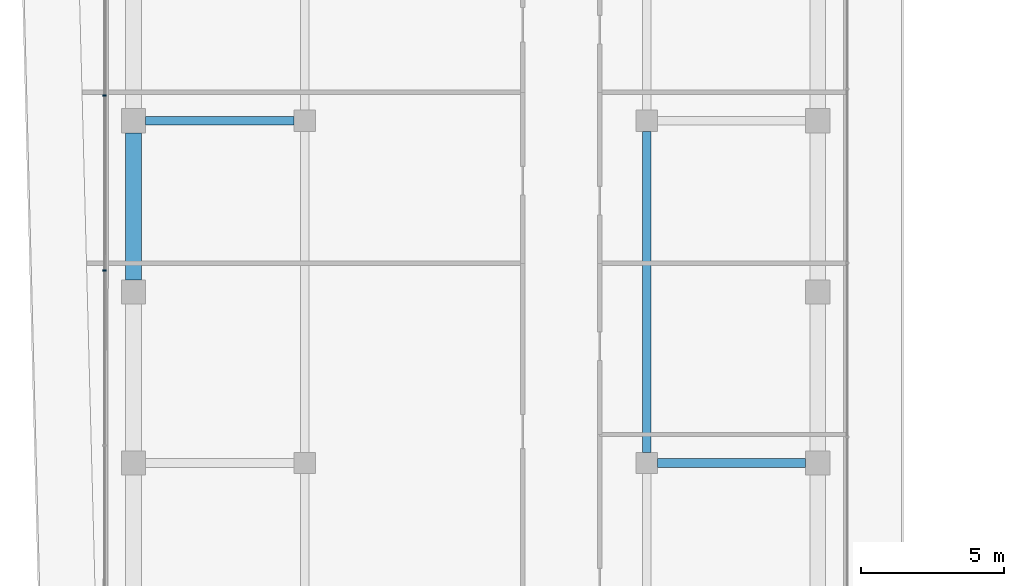
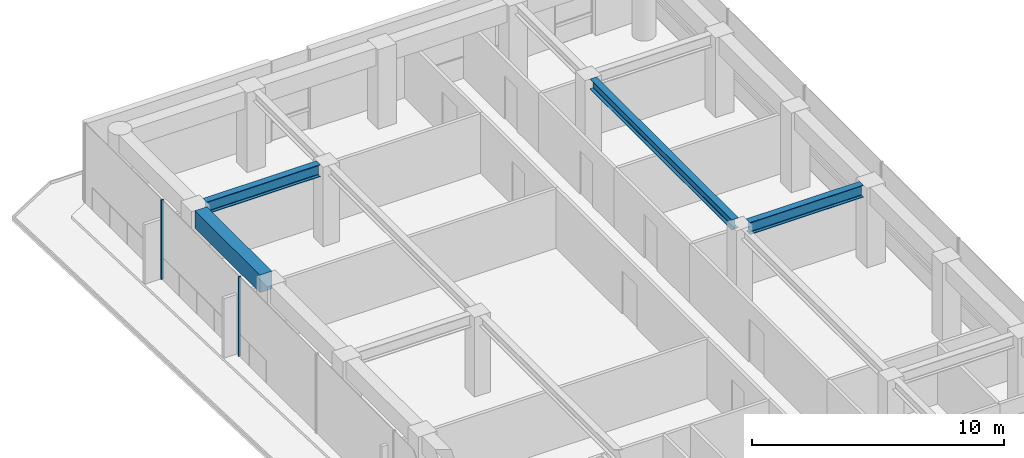
# One storey, part 11 of 20: 4 beams, 2 members, 1 element without a shape of its own.
"""IFC4 building model written with IfcOpenShell, lengths in metres."""

from ifc_helpers import new_model, si_unit, direction, frame, origin, origin_2d, place, context, subcontext, project, spatial, rectangle, i_section, extrude, material, layer, layer_set, material_profile, profile_set, type_object, element, aggregate, save


model = new_model("IFC4")

# Units and contexts
model_context = context("Model", 3, precision=1e-05, world=origin(), true_north=direction((0.0, 1.0)))
body_context = subcontext(model_context, "Body", "Model", "MODEL_VIEW")
ifc_project = project(units=[si_unit("LENGTHUNIT", "METRE"), si_unit("AREAUNIT", "SQUARE_METRE"), si_unit("VOLUMEUNIT", "CUBIC_METRE"), si_unit("PLANEANGLEUNIT", "RADIAN"), si_unit("MASSUNIT", "GRAM", prefix="KILO")], contexts=[model_context])

# Site, building, storey
site_placement = place(None, origin())
site = spatial("IfcSite", under=ifc_project, at=site_placement, CompositionType="ELEMENT")
building_placement = place(site_placement, origin())
building = spatial("IfcBuilding", under=site, at=building_placement, Name="Welwitschia Terrace Campus", CompositionType="ELEMENT")
storey_placement = place(building_placement, frame((0.0, 0.0, 176.0)))
storey = spatial("IfcBuildingStorey", under=building, at=storey_placement, Name="L39", CompositionType="ELEMENT", Elevation=176.0)

# Beam
ifc_material_1 = material(Name="Steel S355", Category="steel")
ifc_material_profile_1 = material_profile(ifc_material_1, i_section(OverallWidth=0.300048828125, OverallDepth=0.489990234375, WebThickness=0.011962890625, FlangeThickness=0.02294921875, FilletRadius=0.027099609375, at=origin_2d()))
ifc_profile_set_1 = profile_set([ifc_material_profile_1], Name="Steel S355")
beam_type_1 = type_object("IfcBeamType", Name="Interior girder HE 500 A", PredefinedType="BEAM", material=ifc_profile_set_1)
beam_1_placement = place(storey_placement, frame((18.0, 44.37548828125, 3.60498046875), z_axis=(0.0, 1.0, 0.0), x_axis=(-1.0, 0.0, 0.0)))
element("IfcBeam", 1, at=beam_1_placement, inside=storey, type_object=beam_type_1, Name="Girder GB4", PredefinedType="BEAM", context=body_context, shape_type="SweptSolid", body=[
    extrude(i_section(OverallWidth=0.300048828125, OverallDepth=0.489990234375, WebThickness=0.011962890625, FlangeThickness=0.02294921875, FilletRadius=0.027099609375, at=origin_2d()), origin(), (0.0, 0.0, 1.0), 11.2490234375),
])

# Curtain wall, members
ifc_material_2 = material(Name="Bronze anodised aluminium", Category="aluminium")
ifc_layer = layer(ifc_material_2, 0.1201171875)
ifc_layer_set = layer_set([ifc_layer], Name="Bronze anodised aluminium")
curtain_wall_type = type_object("IfcCurtainWallType", Name="Curtain wall CW2 tower 6000", PredefinedType="NOTDEFINED", material=ifc_layer_set)
curtain_wall_placement = place(storey_placement, origin())
curtain_wall = element("IfcCurtainWall", 2, at=curtain_wall_placement, inside=storey, type_object=curtain_wall_type, Name="CW L39.12.0", PredefinedType="NOTDEFINED")
ifc_material_3 = material(Name="Bronze anodised aluminium", Category="aluminium")
ifc_material_profile_2 = material_profile(ifc_material_3, rectangle(XDim=0.1201171875, YDim=0.06005859375, at=origin_2d()))
ifc_profile_set_2 = profile_set([ifc_material_profile_2], Name="Bronze anodised aluminium")
member_type = type_object("IfcMemberType", Name="Mullion 60x120", PredefinedType="MULLION", material=ifc_profile_set_2)
member_1_placement = place(storey_placement, frame((-1.01123046875, 56.89111328125, 0.0), z_axis=(0.0, 0.0, 1.0), x_axis=(0.999999815296, -0.000607788744, 0.0)))
member_1 = element("IfcMember", 3, at=member_1_placement, type_object=member_type, Name="Mullion L39.12.0.1", PredefinedType="MULLION", context=body_context, shape_type="SweptSolid", body=[
    extrude(rectangle(XDim=0.1201171875, YDim=0.06005859375, at=origin_2d()), origin(), (0.0, 0.0, 1.0), 3.85009765625),
])
member_2_placement = place(storey_placement, frame((-1.01513671875, 50.75244140625, 0.0), z_axis=(0.0, 0.0, 1.0), x_axis=(0.999999815296, -0.000607788744, 0.0)))
member_2 = element("IfcMember", 4, at=member_2_placement, type_object=member_type, Name="Mullion L39.12.0.2", PredefinedType="MULLION", context=body_context, shape_type="SweptSolid", body=[
    extrude(rectangle(XDim=0.1201171875, YDim=0.06005859375, at=origin_2d()), origin(), (0.0, 0.0, 1.0), 3.85009765625),
])
aggregate(curtain_wall, [member_1, member_2])

# Beams
ifc_material_4 = material(Name="Steel S355", Category="steel")
ifc_material_profile_3 = material_profile(ifc_material_4, i_section(OverallWidth=0.300048828125, OverallDepth=0.590087890625, WebThickness=0.012939453125, FlangeThickness=0.02490234375, FilletRadius=0.027099609375, at=origin_2d()))
ifc_profile_set_3 = profile_set([ifc_material_profile_3], Name="Steel S355")
beam_type_2 = type_object("IfcBeamType", Name="Primary beam HE 600 A", PredefinedType="BEAM", material=ifc_profile_set_3)
for number, where, z_axis, x_axis, name in (
    (5, (23.574462890625, 44.0, 3.554931640625), (-1.0, 0.0, 0.0), (0.0, -1.0, 0.0), "Primary beam PB4"),
    (6, (0.425537109375, 56.0, 3.554931640625), (1.0, 0.0, 0.0), (0.0, 1.0, 0.0), "Primary beam PB4"),
):
    element("IfcBeam", number, at=place(storey_placement, frame(where, z_axis=z_axis, x_axis=x_axis)), inside=storey, type_object=beam_type_2, Name=name, PredefinedType="BEAM", context=body_context, shape_type="SweptSolid", body=[
        extrude(i_section(OverallWidth=0.300048828125, OverallDepth=0.590087890625, WebThickness=0.012939453125, FlangeThickness=0.02490234375, FilletRadius=0.027099609375, at=origin_2d()), origin(), (0.0, 0.0, 1.0), 5.198974609375),
    ])
ifc_material_5 = material(Name="Concrete C50/60", Category="concrete")
ifc_material_profile_4 = material_profile(ifc_material_5, rectangle(XDim=0.550048828125, YDim=0.85009765625, at=origin_2d()))
ifc_profile_set_4 = profile_set([ifc_material_profile_4], Name="Concrete C50/60")
beam_type_3 = type_object("IfcBeamType", Name="Ring spandrel 550x850", PredefinedType="SPANDREL", material=ifc_profile_set_4)
beam_2_placement = place(storey_placement, frame((0.0, 55.574462890625, 3.425048828125), z_axis=(0.0, -1.0, 0.0), x_axis=(1.0, 0.0, 0.0)))
element("IfcBeam", 7, at=beam_2_placement, inside=storey, type_object=beam_type_3, Name="Spandrel SP3", PredefinedType="SPANDREL", context=body_context, shape_type="SweptSolid", body=[
    extrude(rectangle(XDim=0.550048828125, YDim=0.85009765625, at=origin_2d()), origin(), (0.0, 0.0, 1.0), 5.14892578125),
])

save(model, "model.ifc")
